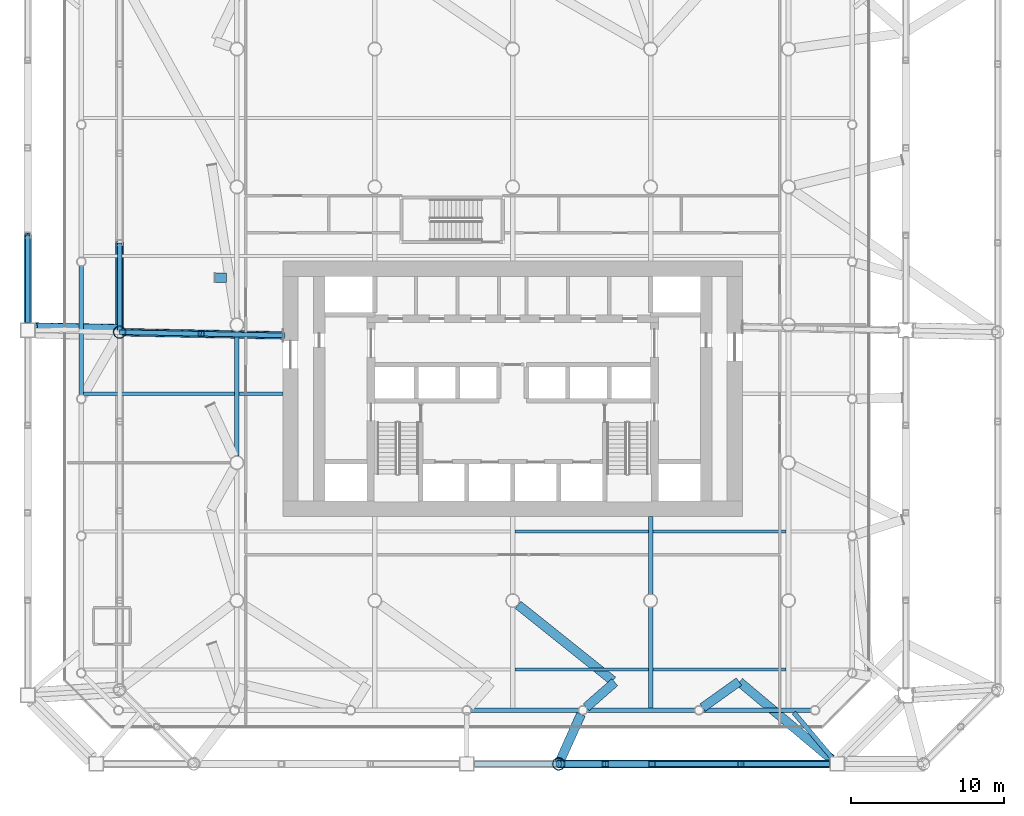
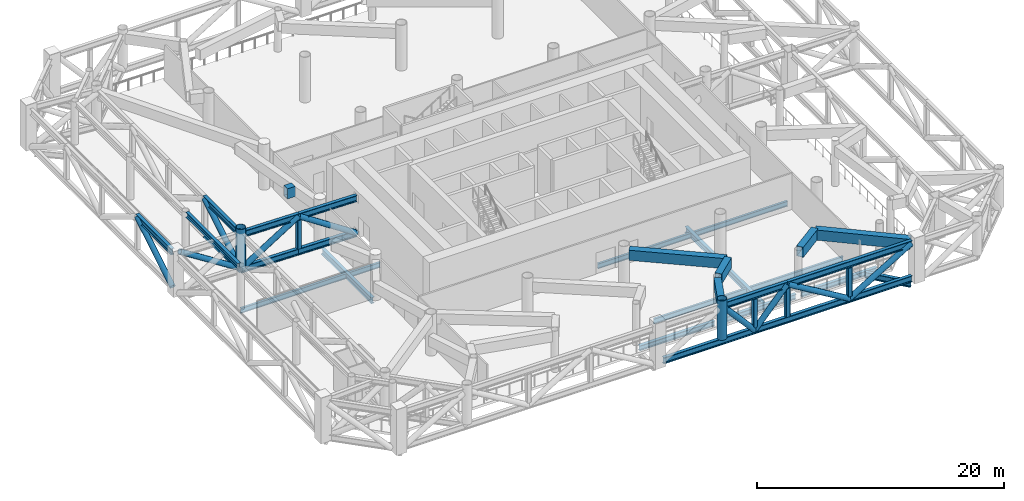
# One storey, part 3 of 22: 32 beams, 15 members.
"""IFC4 building model written with IfcOpenShell, lengths in metres."""

from ifc_helpers import new_model, si_unit, direction, frame, origin, origin_2d, place, context, subcontext, project, spatial, hollow_rectangle, hollow_circle, i_section, extrude, material, material_profile, profile_set, type_object, element, save


model = new_model("IFC4")

# Units and contexts
model_context = context("Model", 3, precision=1e-05, world=origin(), true_north=direction((0.0, 1.0)))
body_context = subcontext(model_context, "Body", "Model", "MODEL_VIEW")
ifc_project = project(units=[si_unit("LENGTHUNIT", "METRE"), si_unit("AREAUNIT", "SQUARE_METRE"), si_unit("VOLUMEUNIT", "CUBIC_METRE"), si_unit("PLANEANGLEUNIT", "RADIAN"), si_unit("MASSUNIT", "GRAM", prefix="KILO")], contexts=[model_context])

# Site, building, storey
site_placement = place(None, origin())
site = spatial("IfcSite", under=ifc_project, at=site_placement, CompositionType="ELEMENT")
building_placement = place(site_placement, origin())
building = spatial("IfcBuilding", under=site, at=building_placement, Name="Tskaro Facet Tower", CompositionType="ELEMENT")
storey_placement = place(building_placement, frame((0.0, 0.0, 57.60009765625)))
storey = spatial("IfcBuildingStorey", under=building, at=storey_placement, Name="L13", CompositionType="ELEMENT", Elevation=57.60009765625)

# Beams
ifc_material_1 = material(Name="Steel S355J2", Category="steel")
ifc_material_profile_1 = material_profile(ifc_material_1, hollow_rectangle(XDim=0.60009765625, YDim=1.0, WallThickness=0.0400390625, at=origin_2d()), Name="BOX 600x1000x40")
ifc_profile_set_1 = profile_set([ifc_material_profile_1], Name="Steel S355J2")
beam_type_1 = type_object("IfcBeamType", Name="BOX 600x1000x40 transfer girder", PredefinedType="BEAM", material=ifc_profile_set_1)
beam_1_placement = place(storey_placement, frame((6.65966796875, -23.327880859375, 3.579833984375), z_axis=(-0.751531968214, -0.659696673292, 0.0), x_axis=(0.659696673292, -0.751531968214, 0.0)))
element("IfcBeam", 1, at=beam_1_placement, inside=storey, type_object=beam_type_1, Name="BOX 600x1000x40 TG2-22", PredefinedType="BEAM", context=body_context, shape_type="SweptSolid", body=[
    extrude(hollow_rectangle(XDim=0.60009765625, YDim=1.0, WallThickness=0.0400390625, at=origin_2d()), origin(), (0.0, 0.0, 1.0), 2.477783203125),
])
beam_2_placement = place(storey_placement, frame((6.53466796875, -23.227783203125, 3.579833984375), z_axis=(-0.780865802565, 0.624698806133, 0.0), x_axis=(-0.624698806133, -0.780865802565, 0.0)))
element("IfcBeam", 2, at=beam_2_placement, inside=storey, type_object=beam_type_1, Name="BOX 600x1000x40 TG2-23", PredefinedType="BEAM", context=body_context, shape_type="SweptSolid", body=[
    extrude(hollow_rectangle(XDim=0.60009765625, YDim=1.0, WallThickness=0.0400390625, at=origin_2d()), origin(), (0.0, 0.0, 1.0), 7.92138671875),
])
beam_3_placement = place(storey_placement, frame((-19.4150390625, 3.068115234375, 3.579833984375), z_axis=(1.0, 0.0, 0.0), x_axis=(0.0, 1.0, 0.0)))
element("IfcBeam", 3, at=beam_3_placement, inside=storey, type_object=beam_type_1, Name="BOX 600x1000x40 TG2-25", PredefinedType="BEAM", context=body_context, shape_type="SweptSolid", body=[
    extrude(hollow_rectangle(XDim=0.60009765625, YDim=1.0, WallThickness=0.0400390625, at=origin_2d()), origin(), (0.0, 0.0, 1.0), 0.72509765625),
])
beam_4_placement = place(storey_placement, frame((14.770751953125, -23.284912109375, 3.579833984375), z_axis=(-0.813394741265, -0.58171212372, 0.0), x_axis=(0.58171212372, -0.813394741265, 0.0)))
element("IfcBeam", 4, at=beam_4_placement, inside=storey, type_object=beam_type_1, Name="BOX 600x1000x40 TG2-26", PredefinedType="BEAM", context=body_context, shape_type="SweptSolid", body=[
    extrude(hollow_rectangle(XDim=0.60009765625, YDim=1.0, WallThickness=0.0400390625, at=origin_2d()), origin(), (0.0, 0.0, 1.0), 2.923095703125),
])
beam_5_placement = place(storey_placement, frame((14.80126953125, -23.310546875, 3.579833984375), z_axis=(0.766268750433, -0.642520195877, 0.0), x_axis=(0.642520195877, 0.766268750433, 0.0)))
element("IfcBeam", 5, at=beam_5_placement, inside=storey, type_object=beam_type_1, Name="BOX 600x1000x40 TG2-27", PredefinedType="BEAM", context=body_context, shape_type="SweptSolid", body=[
    extrude(hollow_rectangle(XDim=0.60009765625, YDim=1.0, WallThickness=0.0400390625, at=origin_2d()), origin(), (0.0, 0.0, 1.0), 7.834228515625),
])
beam_6_placement = place(storey_placement, frame((3.0, -28.658935546875, 3.579833984375), z_axis=(0.410370404194, 0.911918928064, 0.0), x_axis=(-0.911918928064, 0.410370404194, 0.0)))
element("IfcBeam", 6, at=beam_6_placement, inside=storey, type_object=beam_type_1, Name="BOX 600x1000x40 TG2-30", PredefinedType="BEAM", context=body_context, shape_type="SweptSolid", body=[
    extrude(hollow_rectangle(XDim=0.60009765625, YDim=1.0, WallThickness=0.0400390625, at=origin_2d()), origin(), (0.0, 0.0, 1.0), 3.545166015625),
])

# Members
ifc_material_2 = material(Name="Steel S355J2H", Category="steel")
ifc_material_profile_2 = material_profile(ifc_material_2, hollow_circle(Radius=0.25390625, WallThickness=0.02490234375, at=origin_2d()), Name="CHS 508x25")
ifc_profile_set_2 = profile_set([ifc_material_profile_2], Name="Steel S355J2H")
member_type_1 = type_object("IfcMemberType", Name="CHS 508x25 belt diagonal", PredefinedType="BRACE", material=ifc_profile_set_2)
member_1_placement = place(storey_placement, frame((3.0, -28.658935546875, 3.77001953125), z_axis=(0.660620730528, 0.0, -0.750719821502), x_axis=(0.0, 1.0, 0.0)))
element("IfcMember", 7, at=member_1_placement, inside=storey, type_object=member_type_1, Name="CHS 508x25 BD1-022", PredefinedType="BRACE", context=body_context, shape_type="SweptSolid", body=[
    extrude(hollow_circle(Radius=0.25390625, WallThickness=0.02490234375, at=origin_2d()), origin(), (0.0, 0.0, 1.0), 4.609130859375),
])
member_2_placement = place(storey_placement, frame((6.044921875, -28.658935546875, 0.309814453125), z_axis=(0.660650580853, 0.0, 0.750693552669), x_axis=(0.0, 1.0, 0.0)))
element("IfcMember", 8, at=member_2_placement, inside=storey, type_object=member_type_1, Name="CHS 508x25 BD1-023", PredefinedType="BRACE", context=body_context, shape_type="SweptSolid", body=[
    extrude(hollow_circle(Radius=0.25390625, WallThickness=0.02490234375, at=origin_2d()), origin(), (0.0, 0.0, 1.0), 4.609375),
])
for number, where, z_axis, x_axis, name in (
    (9, (9.090087890625, -28.658935546875, 3.77001953125), (0.858585728587, 0.0, -0.512670017327), (0.0, 1.0, 0.0), "CHS 508x25 BD1-024"),
    (10, (14.885009765625, -28.658935546875, 0.309814453125), (0.858585728587, 0.0, 0.512670017327), (0.0, 1.0, 0.0), "CHS 508x25 BD1-025"),
):
    element("IfcMember", number, at=place(storey_placement, frame(where, z_axis=z_axis, x_axis=x_axis)), inside=storey, type_object=member_type_1, Name=name, PredefinedType="BRACE", context=body_context, shape_type="SweptSolid", body=[
        extrude(hollow_circle(Radius=0.25390625, WallThickness=0.02490234375, at=origin_2d()), origin(), (0.0, 0.0, 1.0), 6.749267578125),
    ])
member_3_placement = place(storey_placement, frame((-31.658935546875, 5.84716796875, 3.77001953125), z_axis=(0.0, -0.855026263198, -0.518584698233), x_axis=(1.0, 0.0, 0.0)))
element("IfcMember", 11, at=member_3_placement, inside=storey, type_object=member_type_1, Name="CHS 508x25 BD1-104", PredefinedType="BRACE", context=body_context, shape_type="SweptSolid", body=[
    extrude(hollow_circle(Radius=0.25390625, WallThickness=0.02490234375, at=origin_2d()), origin(), (0.0, 0.0, 1.0), 6.67236328125),
])
member_4_placement = place(storey_placement, frame((-25.658935546875, 5.356201171875, 3.77001953125), z_axis=(0.0, -0.860104974489, -0.510117077601), x_axis=(1.0, 0.0, 0.0)))
element("IfcMember", 12, at=member_4_placement, inside=storey, type_object=member_type_1, Name="CHS 508x25 TB1-10-D4", PredefinedType="BRACE", context=body_context, shape_type="SweptSolid", body=[
    extrude(hollow_circle(Radius=0.25390625, WallThickness=0.02490234375, at=origin_2d()), origin(), (0.0, 0.0, 1.0), 6.783203125),
])
member_5_placement = place(storey_placement, frame((-31.154052734375, -0.114013671875, 3.77001953125), z_axis=(0.846313319869, -0.016942043911, -0.532415938679), x_axis=(0.020014632648, 0.999799687177, 0.0)))
element("IfcMember", 13, at=member_5_placement, inside=storey, type_object=member_type_1, Name="CHS 508x25 TL1-11A-D2", PredefinedType="BRACE", context=body_context, shape_type="SweptSolid", body=[
    extrude(hollow_circle(Radius=0.25390625, WallThickness=0.02490234375, at=origin_2d()), origin(), (0.0, 0.0, 1.0), 6.4990234375),
])
member_6_placement = place(storey_placement, frame((-25.658935546875, -0.47802734375, 0.309814453125), z_axis=(0.838604119762, -0.01674980055, 0.544483768812), x_axis=(0.019969446954, 0.999800590712, 0.0)))
element("IfcMember", 14, at=member_6_placement, inside=storey, type_object=member_type_1, Name="CHS 508x25 TL1-11B-D1", PredefinedType="BRACE", context=body_context, shape_type="SweptSolid", body=[
    extrude(hollow_circle(Radius=0.25390625, WallThickness=0.02490234375, at=origin_2d()), origin(), (0.0, 0.0, 1.0), 6.35498046875),
])
member_7_placement = place(storey_placement, frame((-20.32958984375, -0.58447265625, 3.77001953125), z_axis=(0.838614978971, -0.016787665864, -0.544465877094), x_axis=(0.020014313609, 0.999799693564, 0.0)))
element("IfcMember", 15, at=member_7_placement, inside=storey, type_object=member_type_1, Name="CHS 508x25 TL1-11B-D2", PredefinedType="BRACE", context=body_context, shape_type="SweptSolid", body=[
    extrude(hollow_circle(Radius=0.25390625, WallThickness=0.02490234375, at=origin_2d()), origin(), (0.0, 0.0, 1.0), 6.355224609375),
])
ifc_material_profile_3 = material_profile(ifc_material_2, hollow_circle(Radius=0.406494140625, WallThickness=0.035888671875, at=origin_2d()), Name="CHS 812.8x36")
ifc_profile_set_3 = profile_set([ifc_material_profile_3], Name="Steel S355J2H")
member_type_2 = type_object("IfcMemberType", Name="CHS 812.8x36 transfer node post", PredefinedType="POST", material=ifc_profile_set_3)
for number, where, z_axis, x_axis, name in (
    (16, (3.0, -28.658935546875, 0.619873046875), (0.0, 0.0, 1.0), (1.0, 0.0, 0.0), "CHS 812.8x36 TN1-02"),
    (17, (-25.658935546875, -0.47802734375, 0.619873046875), (0.0, 0.0, 1.0), (1.0, 0.0, 0.0), "CHS 812.8x36 TN1-11"),
):
    element("IfcMember", number, at=place(storey_placement, frame(where, z_axis=z_axis, x_axis=x_axis)), inside=storey, type_object=member_type_2, Name=name, PredefinedType="POST", context=body_context, shape_type="SweptSolid", body=[
        extrude(hollow_circle(Radius=0.406494140625, WallThickness=0.035888671875, at=origin_2d()), origin(), (0.0, 0.0, 1.0), 3.880126953125),
    ])

# Beams
ifc_material_profile_4 = material_profile(ifc_material_1, i_section(OverallWidth=0.300048828125, OverallDepth=0.5, WebThickness=0.014404296875, FlangeThickness=0.028076171875, FilletRadius=0.027099609375, at=origin_2d()), Name="HE 500 B")
ifc_profile_set_4 = profile_set([ifc_material_profile_4], Name="Steel S355J2")
beam_type_2 = type_object("IfcBeamType", Name="HE 500 B ring beam", PredefinedType="BEAM", material=ifc_profile_set_4)
beam_7_placement = place(storey_placement, frame((-2.72509765625, -25.156982421875, -0.5), z_axis=(1.0, 0.0, 0.0), x_axis=(0.0, 1.0, 0.0)))
element("IfcBeam", 18, at=beam_7_placement, inside=storey, type_object=beam_type_2, Name="HE 500 B EB4-1", PredefinedType="BEAM", context=body_context, shape_type="SweptSolid", body=[
    extrude(i_section(OverallWidth=0.300048828125, OverallDepth=0.5, WebThickness=0.014404296875, FlangeThickness=0.028076171875, FilletRadius=0.027099609375, at=origin_2d()), origin(), (0.0, 0.0, 1.0), 7.026123046875),
])
beam_8_placement = place(storey_placement, frame((4.85107421875, -25.156982421875, -0.5), z_axis=(1.0, 0.0, 0.0), x_axis=(0.0, 1.0, 0.0)))
element("IfcBeam", 19, at=beam_8_placement, inside=storey, type_object=beam_type_2, Name="HE 500 B EB5-1", PredefinedType="BEAM", context=body_context, shape_type="SweptSolid", body=[
    extrude(i_section(OverallWidth=0.300048828125, OverallDepth=0.5, WebThickness=0.014404296875, FlangeThickness=0.028076171875, FilletRadius=0.027099609375, at=origin_2d()), origin(), (0.0, 0.0, 1.0), 7.02685546875),
])
beam_9_placement = place(storey_placement, frame((12.427978515625, -25.156982421875, -0.5), z_axis=(1.0, 0.0, 0.0), x_axis=(0.0, 1.0, 0.0)))
element("IfcBeam", 20, at=beam_9_placement, inside=storey, type_object=beam_type_2, Name="HE 500 B EB6-1", PredefinedType="BEAM", context=body_context, shape_type="SweptSolid", body=[
    extrude(i_section(OverallWidth=0.300048828125, OverallDepth=0.5, WebThickness=0.014404296875, FlangeThickness=0.028076171875, FilletRadius=0.027099609375, at=origin_2d()), origin(), (0.0, 0.0, 1.0), 7.026123046875),
])
beam_10_placement = place(storey_placement, frame((-28.156982421875, 3.841064453125, 4.0), z_axis=(0.0, -1.0, 0.0), x_axis=(1.0, 0.0, 0.0)))
element("IfcBeam", 21, at=beam_10_placement, inside=storey, type_object=beam_type_2, Name="HE 500 B EB22-1R", PredefinedType="BEAM", context=body_context, shape_type="SweptSolid", body=[
    extrude(i_section(OverallWidth=0.300048828125, OverallDepth=0.5, WebThickness=0.014404296875, FlangeThickness=0.028076171875, FilletRadius=0.027099609375, at=origin_2d()), origin(), (0.0, 0.0, 1.0), 8.399169921875),
])
ifc_material_profile_5 = material_profile(ifc_material_1, i_section(OverallWidth=0.300048828125, OverallDepth=0.590087890625, WebThickness=0.012939453125, FlangeThickness=0.02490234375, FilletRadius=0.027099609375, at=origin_2d()), Name="HE 600 A")
ifc_profile_set_5 = profile_set([ifc_material_profile_5], Name="Steel S355J2")
beam_type_3 = type_object("IfcBeamType", Name="HE 600 A girder", PredefinedType="BEAM", material=ifc_profile_set_5)
beam_11_placement = place(storey_placement, frame((-18.0, -8.57275390625, -0.545166015625), z_axis=(0.0, 1.0, 0.0), x_axis=(-1.0, 0.0, 0.0)))
element("IfcBeam", 22, at=beam_11_placement, inside=storey, type_object=beam_type_3, Name="HE 600 A GB2-3-1", PredefinedType="BEAM", context=body_context, shape_type="SweptSolid", body=[
    extrude(i_section(OverallWidth=0.300048828125, OverallDepth=0.590087890625, WebThickness=0.012939453125, FlangeThickness=0.02490234375, FilletRadius=0.027099609375, at=origin_2d()), origin(), (0.0, 0.0, 1.0), 8.1455078125),
])
beam_12_placement = place(storey_placement, frame((9.0, -25.007080078125, -0.545166015625), z_axis=(0.0, 1.0, 0.0), x_axis=(-1.0, 0.0, 0.0)))
element("IfcBeam", 23, at=beam_12_placement, inside=storey, type_object=beam_type_3, Name="HE 600 A GB5-1-1", PredefinedType="BEAM", context=body_context, shape_type="SweptSolid", body=[
    extrude(i_section(OverallWidth=0.300048828125, OverallDepth=0.590087890625, WebThickness=0.012939453125, FlangeThickness=0.02490234375, FilletRadius=0.027099609375, at=origin_2d()), origin(), (0.0, 0.0, 1.0), 6.579833984375),
])
beam_13_placement = place(storey_placement, frame((9.0, -17.57275390625, -0.545166015625), z_axis=(0.0, 1.0, 0.0), x_axis=(-1.0, 0.0, 0.0)))
element("IfcBeam", 24, at=beam_13_placement, inside=storey, type_object=beam_type_3, Name="HE 600 A GB5-2-1", PredefinedType="BEAM", context=body_context, shape_type="SweptSolid", body=[
    extrude(i_section(OverallWidth=0.300048828125, OverallDepth=0.590087890625, WebThickness=0.012939453125, FlangeThickness=0.02490234375, FilletRadius=0.027099609375, at=origin_2d()), origin(), (0.0, 0.0, 1.0), 5.07275390625),
])
ifc_material_profile_6 = material_profile(ifc_material_1, i_section(OverallWidth=0.300048828125, OverallDepth=0.60009765625, WebThickness=0.015380859375, FlangeThickness=0.030029296875, FilletRadius=0.027099609375, at=origin_2d()), Name="HE 600 B")
ifc_profile_set_6 = profile_set([ifc_material_profile_6], Name="Steel S355J2")
beam_type_4 = type_object("IfcBeamType", Name="HE 600 B floor strut", PredefinedType="BEAM", material=ifc_profile_set_6)
beam_14_placement = place(storey_placement, frame((20.857421875, -28.277099609375, -0.550048828125), z_axis=(-0.645345332126, 0.763890962313, 0.0), x_axis=(-0.763890962313, -0.645345332126, 0.0)))
element("IfcBeam", 25, at=beam_14_placement, inside=storey, type_object=beam_type_4, Name="HE 600 B ES1-03", PredefinedType="BEAM", context=body_context, shape_type="SweptSolid", body=[
    extrude(i_section(OverallWidth=0.300048828125, OverallDepth=0.60009765625, WebThickness=0.015380859375, FlangeThickness=0.030029296875, FilletRadius=0.027099609375, at=origin_2d()), origin(), (0.0, 0.0, 1.0), 3.88818359375),
])
ifc_material_profile_7 = material_profile(ifc_material_1, i_section(OverallWidth=0.304931640625, OverallDepth=0.6201171875, WebThickness=0.02099609375, FlangeThickness=0.0400390625, FilletRadius=0.027099609375, at=origin_2d()), Name="HE 600 M")
ifc_profile_set_7 = profile_set([ifc_material_profile_7], Name="Steel S355J2")
beam_type_5 = type_object("IfcBeamType", Name="HE 600 M belt chord", PredefinedType="BEAM", material=ifc_profile_set_7)
beam_15_placement = place(storey_placement, frame((3.0, -28.658935546875, 3.77001953125), z_axis=(1.0, 0.0, 0.0), x_axis=(0.0, 1.0, 0.0)))
element("IfcBeam", 26, at=beam_15_placement, inside=storey, type_object=beam_type_5, Name="HE 600 M BT1-02T2", PredefinedType="BEAM", context=body_context, shape_type="SweptSolid", body=[
    extrude(i_section(OverallWidth=0.304931640625, OverallDepth=0.6201171875, WebThickness=0.02099609375, FlangeThickness=0.0400390625, FilletRadius=0.027099609375, at=origin_2d()), origin(), (0.0, 0.0, 1.0), 6.090087890625),
])
beam_16_placement = place(storey_placement, frame((9.090087890625, -28.658935546875, 3.77001953125), z_axis=(1.0, 0.0, 0.0), x_axis=(0.0, 1.0, 0.0)))
element("IfcBeam", 27, at=beam_16_placement, inside=storey, type_object=beam_type_5, Name="HE 600 M BT1-02T3", PredefinedType="BEAM", context=body_context, shape_type="SweptSolid", body=[
    extrude(i_section(OverallWidth=0.304931640625, OverallDepth=0.6201171875, WebThickness=0.02099609375, FlangeThickness=0.0400390625, FilletRadius=0.027099609375, at=origin_2d()), origin(), (0.0, 0.0, 1.0), 11.58984375),
])
beam_17_placement = place(storey_placement, frame((-2.5, -28.658935546875, 0.309814453125), z_axis=(1.0, 0.0, 0.0), x_axis=(0.0, 1.0, 0.0)))
element("IfcBeam", 28, at=beam_17_placement, inside=storey, type_object=beam_type_5, Name="HE 600 M BT1-02B1", PredefinedType="BEAM", context=body_context, shape_type="SweptSolid", body=[
    extrude(i_section(OverallWidth=0.304931640625, OverallDepth=0.6201171875, WebThickness=0.02099609375, FlangeThickness=0.0400390625, FilletRadius=0.027099609375, at=origin_2d()), origin(), (0.0, 0.0, 1.0), 8.544921875),
])
beam_18_placement = place(storey_placement, frame((6.044921875, -28.658935546875, 0.309814453125), z_axis=(1.0, 0.0, 0.0), x_axis=(0.0, 1.0, 0.0)))
element("IfcBeam", 29, at=beam_18_placement, inside=storey, type_object=beam_type_5, Name="HE 600 M BT1-02B2", PredefinedType="BEAM", context=body_context, shape_type="SweptSolid", body=[
    extrude(i_section(OverallWidth=0.304931640625, OverallDepth=0.6201171875, WebThickness=0.02099609375, FlangeThickness=0.0400390625, FilletRadius=0.027099609375, at=origin_2d()), origin(), (0.0, 0.0, 1.0), 8.840087890625),
])
beam_19_placement = place(storey_placement, frame((14.885009765625, -28.658935546875, 0.309814453125), z_axis=(1.0, 0.0, 0.0), x_axis=(0.0, 1.0, 0.0)))
element("IfcBeam", 30, at=beam_19_placement, inside=storey, type_object=beam_type_5, Name="HE 600 M BT1-02B3", PredefinedType="BEAM", context=body_context, shape_type="SweptSolid", body=[
    extrude(i_section(OverallWidth=0.304931640625, OverallDepth=0.6201171875, WebThickness=0.02099609375, FlangeThickness=0.0400390625, FilletRadius=0.027099609375, at=origin_2d()), origin(), (0.0, 0.0, 1.0), 5.794921875),
])
beam_20_placement = place(storey_placement, frame((-31.658935546875, 5.84716796875, 3.77001953125), z_axis=(0.0, -1.0, 0.0), x_axis=(1.0, 0.0, 0.0)))
element("IfcBeam", 31, at=beam_20_placement, inside=storey, type_object=beam_type_5, Name="HE 600 M BT1-10T3", PredefinedType="BEAM", context=body_context, shape_type="SweptSolid", body=[
    extrude(i_section(OverallWidth=0.304931640625, OverallDepth=0.6201171875, WebThickness=0.02099609375, FlangeThickness=0.0400390625, FilletRadius=0.027099609375, at=origin_2d()), origin(), (0.0, 0.0, 1.0), 5.705078125),
])
for number, where, z_axis, x_axis, name in (
    (32, (-25.658935546875, 5.356201171875, 3.77001953125), (0.0, -1.0, 0.0), (1.0, 0.0, 0.0), "HE 600 M TB1-10-T4"),
    (33, (-25.658935546875, 5.356201171875, 0.309814453125), (0.0, -1.0, 0.0), (1.0, 0.0, 0.0), "HE 600 M TB1-10-B4"),
):
    element("IfcBeam", number, at=place(storey_placement, frame(where, z_axis=z_axis, x_axis=x_axis)), inside=storey, type_object=beam_type_5, Name=name, PredefinedType="BEAM", context=body_context, shape_type="SweptSolid", body=[
        extrude(i_section(OverallWidth=0.304931640625, OverallDepth=0.6201171875, WebThickness=0.02099609375, FlangeThickness=0.0400390625, FilletRadius=0.027099609375, at=origin_2d()), origin(), (0.0, 0.0, 1.0), 5.834228515625),
    ])
for number, where, z_axis, x_axis, name in (
    (34, (-25.658935546875, -0.47802734375, 3.77001953125), (0.999800590712, -0.019969446954, 0.0), (0.019969446954, 0.999800590712, 0.0), "HE 600 M TL1-11B-T1"),
    (35, (-25.658935546875, -0.47802734375, 0.309814453125), (0.999800590712, -0.019969446954, 0.0), (0.019969446954, 0.999800590712, 0.0), "HE 600 M TL1-11B-B1"),
):
    element("IfcBeam", number, at=place(storey_placement, frame(where, z_axis=z_axis, x_axis=x_axis)), inside=storey, type_object=beam_type_5, Name=name, PredefinedType="BEAM", context=body_context, shape_type="SweptSolid", body=[
        extrude(i_section(OverallWidth=0.304931640625, OverallDepth=0.6201171875, WebThickness=0.02099609375, FlangeThickness=0.0400390625, FilletRadius=0.027099609375, at=origin_2d()), origin(), (0.0, 0.0, 1.0), 5.330322265625),
    ])
for number, where, z_axis, x_axis, name in (
    (36, (-20.32958984375, -0.58447265625, 3.77001953125), (0.999799693564, -0.020014313609, 0.0), (0.020014313609, 0.999799693564, 0.0), "HE 600 M TL1-11B-T2"),
    (37, (-20.32958984375, -0.58447265625, 0.309814453125), (0.999799693564, -0.020014313609, 0.0), (0.020014313609, 0.999799693564, 0.0), "HE 600 M TL1-11B-B2"),
):
    element("IfcBeam", number, at=place(storey_placement, frame(where, z_axis=z_axis, x_axis=x_axis)), inside=storey, type_object=beam_type_5, Name=name, PredefinedType="BEAM", context=body_context, shape_type="SweptSolid", body=[
        extrude(i_section(OverallWidth=0.304931640625, OverallDepth=0.6201171875, WebThickness=0.02099609375, FlangeThickness=0.0400390625, FilletRadius=0.027099609375, at=origin_2d()), origin(), (0.0, 0.0, 1.0), 5.33056640625),
    ])
ifc_material_profile_8 = material_profile(ifc_material_1, i_section(OverallWidth=0.199951171875, OverallDepth=0.5, WebThickness=0.01025390625, FlangeThickness=0.01611328125, FilletRadius=0.02099609375, at=origin_2d()), Name="IPE 500")
ifc_profile_set_8 = profile_set([ifc_material_profile_8], Name="Steel S355J2")
beam_type_6 = type_object("IfcBeamType", Name="IPE 500 secondary beam", PredefinedType="BEAM", material=ifc_profile_set_8)
for number, where, z_axis, x_axis, name in (
    (38, (0.14990234375, -22.5, -0.5), (1.0, 0.0, 0.0), (0.0, 1.0, 0.0), "IPE 500 SB1a-4-1"),
    (39, (9.14990234375, -22.5, -0.5), (1.0, 0.0, 0.0), (0.0, 1.0, 0.0), "IPE 500 SB1a-5-1"),
    (40, (0.14990234375, -13.5, -0.5), (1.0, 0.0, 0.0), (0.0, 1.0, 0.0), "IPE 500 SB2a-4-1"),
    (41, (9.14990234375, -13.5, -0.5), (1.0, 0.0, 0.0), (0.0, 1.0, 0.0), "IPE 500 SB2a-5-1"),
):
    element("IfcBeam", number, at=place(storey_placement, frame(where, z_axis=z_axis, x_axis=x_axis)), inside=storey, type_object=beam_type_6, Name=name, PredefinedType="BEAM", context=body_context, shape_type="SweptSolid", body=[
        extrude(i_section(OverallWidth=0.199951171875, OverallDepth=0.5, WebThickness=0.01025390625, FlangeThickness=0.01611328125, FilletRadius=0.02099609375, at=origin_2d()), origin(), (0.0, 0.0, 1.0), 8.7001953125),
    ])
beam_21_placement = place(storey_placement, frame((-28.007080078125, -4.5, -0.5), z_axis=(1.0, 0.0, 0.0), x_axis=(0.0, 1.0, 0.0)))
element("IfcBeam", 42, at=beam_21_placement, inside=storey, type_object=beam_type_6, Name="IPE 500 SB3a-1-1", PredefinedType="BEAM", context=body_context, shape_type="SweptSolid", body=[
    extrude(i_section(OverallWidth=0.199951171875, OverallDepth=0.5, WebThickness=0.01025390625, FlangeThickness=0.01611328125, FilletRadius=0.02099609375, at=origin_2d()), origin(), (0.0, 0.0, 1.0), 9.857177734375),
])
beam_22_placement = place(storey_placement, frame((-17.85009765625, -4.5, -0.5), z_axis=(1.0, 0.0, 0.0), x_axis=(0.0, 1.0, 0.0)))
element("IfcBeam", 43, at=beam_22_placement, inside=storey, type_object=beam_type_6, Name="IPE 500 SB3a-2-1", PredefinedType="BEAM", context=body_context, shape_type="SweptSolid", body=[
    extrude(i_section(OverallWidth=0.199951171875, OverallDepth=0.5, WebThickness=0.01025390625, FlangeThickness=0.01611328125, FilletRadius=0.02099609375, at=origin_2d()), origin(), (0.0, 0.0, 1.0), 2.85009765625),
])

# Members
ifc_material_profile_9 = material_profile(ifc_material_2, hollow_rectangle(XDim=0.39990234375, YDim=0.39990234375, WallThickness=0.02490234375, InnerFilletRadius=0.03759765625, OuterFilletRadius=0.0625, at=origin_2d()), Name="SHS 400x400x25")
ifc_profile_set_9 = profile_set([ifc_material_profile_9], Name="Steel S355J2H")
member_type_3 = type_object("IfcMemberType", Name="SHS 400x400x25 belt post", PredefinedType="POST", material=ifc_profile_set_9)
for number, where, z_axis, x_axis, name in (
    (44, (6.044921875, -28.658935546875, 0.619873046875), (0.0, 0.0, 1.0), (1.0, 0.0, 0.0), "SHS 400x400x25 BP1-022"),
    (45, (9.090087890625, -28.658935546875, 0.619873046875), (0.0, 0.0, 1.0), (1.0, 0.0, 0.0), "SHS 400x400x25 BP1-023"),
    (46, (14.885009765625, -28.658935546875, 0.619873046875), (0.0, 0.0, 1.0), (1.0, 0.0, 0.0), "SHS 400x400x25 BP1-024"),
    (47, (-20.32958984375, -0.58447265625, 0.619873046875), (0.0, 0.0, 1.0), (1.0, 0.0, 0.0), "SHS 400x400x25 TL1-11B-P1"),
):
    element("IfcMember", number, at=place(storey_placement, frame(where, z_axis=z_axis, x_axis=x_axis)), inside=storey, type_object=member_type_3, Name=name, PredefinedType="POST", context=body_context, shape_type="SweptSolid", body=[
        extrude(hollow_rectangle(XDim=0.39990234375, YDim=0.39990234375, WallThickness=0.02490234375, InnerFilletRadius=0.03759765625, OuterFilletRadius=0.0625, at=origin_2d()), origin(), (0.0, 0.0, 1.0), 2.840087890625),
    ])

save(model, "model.ifc")
